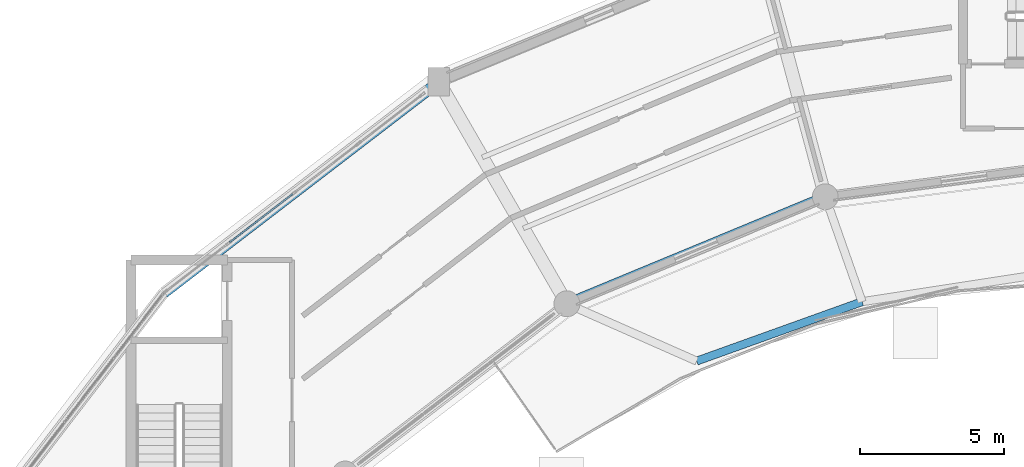
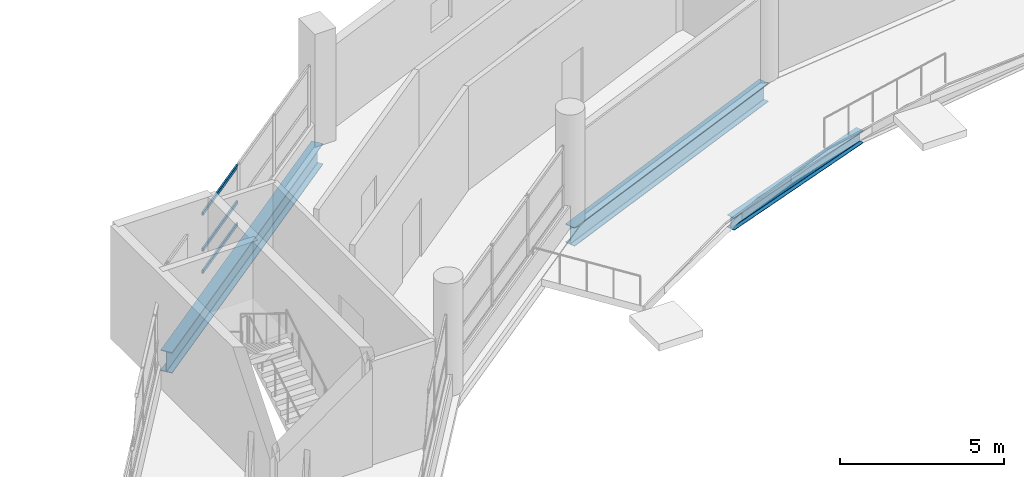
# One storey, part 55 of 128: 3 beams, 3 members, 1 element without a shape of its own.
"""IFC4 building model written with IfcOpenShell, lengths in metres."""

import ifcopenshell
import ifcopenshell.guid

model = None  # the IFC model being written
_history = None  # IfcOwnerHistory: only IFC2X3 demands one
_inside = {}  # id of a spatial element -> (the spatial element, [elements in it])
_under = {}  # id of a project, library or spatial element -> (it, [spatial elements below it])
_declared = {}  # id of a project -> (the project, [libraries it declares])
_typed = {}  # id of a type object -> (the type object, [elements of that type])
_made_of = {}  # id of a material, layer set ... -> (it, [elements and type objects made of it])


def new_model(schema):
    """Start an empty IFC model of exactly this schema.

    Asked for "IFC4X3", IfcOpenShell would pick the latest addendum, in which some entities
    have other attributes; the version numbers below select the first issue.
    IFC2X3 requires an IfcOwnerHistory on every rooted entity: one is made here for all.
    """
    global model, _history
    if schema == "IFC4X3":
        model = ifcopenshell.file(schema_version=(4, 3, 0, 0))
    else:
        model = ifcopenshell.file(schema=schema)
    _inside.clear()
    _under.clear()
    _declared.clear()
    _typed.clear()
    _made_of.clear()
    _history = None
    if model.schema == "IFC2X3":
        org = make("IfcOrganization", Name="unknown")
        user = make(
            "IfcPersonAndOrganization",
            ThePerson=make("IfcPerson", FamilyName="unknown"),
            TheOrganization=org,
        )
        app = make(
            "IfcApplication",
            ApplicationDeveloper=org,
            Version="unknown",
            ApplicationFullName="unknown",
            ApplicationIdentifier="unknown",
        )
        _history = make(
            "IfcOwnerHistory",
            OwningUser=user,
            OwningApplication=app,
            ChangeAction="ADDED",
            CreationDate=0,
        )
    return model


def make(cls, **values):
    """One entity of the class cls with the attributes given. An attribute that is None is left unset."""
    return model.create_entity(
        cls, **{name: value for name, value in values.items() if value is not None}
    )


def rooted(cls, **values):
    """An entity with a GlobalId (a new one), such as an element, a storey or a relation."""
    return make(cls, GlobalId=ifcopenshell.guid.new(), OwnerHistory=_history, **values)


def si_unit(unit_type, name, prefix=None):
    """IfcSIUnit, for example si_unit("LENGTHUNIT", "METRE", prefix="MILLI")."""
    return make("IfcSIUnit", UnitType=unit_type, Prefix=prefix, Name=name)


def assignment(units):
    """IfcUnitAssignment: the units of a project."""
    return None if units is None else make("IfcUnitAssignment", Units=units)


def point(xyz):
    """IfcCartesianPoint."""
    return None if xyz is None else make("IfcCartesianPoint", Coordinates=xyz)


def direction(xyz):
    """IfcDirection."""
    return None if xyz is None else make("IfcDirection", DirectionRatios=xyz)


def frame(location, z_axis=None, x_axis=None):
    """IfcAxis2Placement3D, a coordinate frame: its origin and axes. An axis left out is left unset."""
    return make(
        "IfcAxis2Placement3D",
        Location=point(location),
        Axis=direction(z_axis),
        RefDirection=direction(x_axis),
    )


def frame_2d(location, x_axis=None):
    """IfcAxis2Placement2D, a coordinate frame in the plane: its origin and x axis."""
    return make(
        "IfcAxis2Placement2D", Location=point(location), RefDirection=direction(x_axis)
    )


def origin():
    """The frame at (0, 0, 0) with its axes left unset."""
    return frame((0.0, 0.0, 0.0))


def origin_2d():
    """The frame at (0, 0) in the plane with its x axis left unset."""
    return frame_2d((0.0, 0.0))


def place(relative_to, where):
    """IfcLocalPlacement: puts the frame where relative to a parent placement (None: the world)."""
    return make(
        "IfcLocalPlacement", PlacementRelTo=relative_to, RelativePlacement=where
    )


def context(
    kind, dimensions, precision=None, world=None, true_north=None, identifier=None
):
    """IfcGeometricRepresentationContext, for example the 3D "Model" context."""
    return make(
        "IfcGeometricRepresentationContext",
        ContextIdentifier=identifier,
        ContextType=kind,
        CoordinateSpaceDimension=dimensions,
        Precision=precision,
        WorldCoordinateSystem=world,
        TrueNorth=true_north,
    )


def subcontext(parent, identifier, kind, view, scale=None):
    """IfcGeometricRepresentationSubContext, for example "Body" below "Model"."""
    return make(
        "IfcGeometricRepresentationSubContext",
        ContextIdentifier=identifier,
        ContextType=kind,
        ParentContext=parent,
        TargetScale=scale,
        TargetView=view,
    )


def project(units=None, contexts=None):
    """IfcProject with its units and contexts."""
    return rooted(
        "IfcProject",
        Name="project",
        RepresentationContexts=contexts,
        UnitsInContext=assignment(units),
    )


def spatial(cls, under=None, at=None, **own):
    """A site, building, storey or space (cls), placed at a placement, below another one or the project."""
    s = rooted(cls, ObjectPlacement=at, **own)
    if under is not None:
        _under.setdefault(under.id(), (under, []))[1].append(s)
    return s


def profile(cls, at=None, kind="AREA", **sizes):
    """A parametric profile (cls). Its sizes go by their IFC names, for example OverallWidth=200.0."""
    return make(cls, ProfileType=kind, Position=at, **sizes)


def hollow_rectangle(**sizes):
    """IfcRectangleHollowProfileDef."""
    return profile("IfcRectangleHollowProfileDef", **sizes)


def i_section(**sizes):
    """IfcIShapeProfileDef."""
    return profile("IfcIShapeProfileDef", **sizes)


def extrude(swept, where, along, depth):
    """IfcExtrudedAreaSolid: the profile swept, set in the frame where, extruded along a direction by depth."""
    return make(
        "IfcExtrudedAreaSolid",
        SweptArea=swept,
        Position=where,
        ExtrudedDirection=direction(along),
        Depth=depth,
    )


def shape(context_of_items, identifier, shape_type, items):
    """IfcShapeRepresentation: the items that make up one representation, for example the "Body"."""
    return make(
        "IfcShapeRepresentation",
        ContextOfItems=context_of_items,
        RepresentationIdentifier=identifier,
        RepresentationType=shape_type,
        Items=items,
    )


def material(Name=None, Category=None):
    """IfcMaterial."""
    return make("IfcMaterial", Name=Name, Category=Category)


def layer(
    of_material, thickness, ventilated=None, Name=None, Category=None, Priority=None
):
    """IfcMaterialLayer: one layer of a wall or slab, of a material (None: an air gap)."""
    return make(
        "IfcMaterialLayer",
        Material=of_material,
        LayerThickness=thickness,
        IsVentilated=ventilated,
        Name=Name,
        Category=Category,
        Priority=Priority,
    )


def layer_set(layers, Name=None):
    """IfcMaterialLayerSet."""
    return make("IfcMaterialLayerSet", MaterialLayers=layers, LayerSetName=Name)


def material_profile(
    of_material, cross_section, Name=None, Category=None, Priority=None
):
    """IfcMaterialProfile: a cross section and its material."""
    return make(
        "IfcMaterialProfile",
        Name=Name,
        Material=of_material,
        Profile=cross_section,
        Priority=Priority,
        Category=Category,
    )


def profile_set(profiles, Name=None, composite=None):
    """IfcMaterialProfileSet."""
    return make(
        "IfcMaterialProfileSet",
        Name=Name,
        MaterialProfiles=profiles,
        CompositeProfile=composite,
    )


def made_of(thing, what):
    """Note that an element or type object is made of a material, layer set ...; save() writes the relation."""
    if what is not None:
        _made_of.setdefault(what.id(), (what, []))[1].append(thing)
    return thing


def type_object(cls, material=None, **own):
    """A type object (cls), such as IfcWallType, which elements share."""
    return made_of(rooted(cls, **own), material)


def element(
    cls,
    number,
    at=None,
    inside=None,
    cuts=None,
    type_object=None,
    material=None,
    context=None,
    identifier="Body",
    shape_type=None,
    held_by="IfcProductDefinitionShape",
    body=None,
    shapes=None,
    **own,
):
    """One element of the class cls, such as IfcWall. Its Tag is "e" and its number.

    at: its placement. inside: the storey or other place that contains it. cuts: it is an
    opening in that element (IfcRelVoidsElement). A single representation is given by context,
    identifier, shape_type and body (its items); several are given by shapes. held_by: the class
    of the entity that holds the representations. save() writes the other relations.
    """
    e = rooted(cls, Tag="e%d" % number, ObjectPlacement=at, **own)
    if body is not None:
        shapes = [shape(context, identifier, shape_type, body)]
    if shapes is not None:
        e.Representation = make(held_by, Representations=shapes)
    if inside is not None:
        _inside.setdefault(inside.id(), (inside, []))[1].append(e)
    if cuts is not None:
        rooted(
            "IfcRelVoidsElement", RelatingBuildingElement=cuts, RelatedOpeningElement=e
        )
    if type_object is not None:
        _typed.setdefault(type_object.id(), (type_object, []))[1].append(e)
    return made_of(e, material)


def aggregate(whole, parts):
    """IfcRelAggregates: a whole, such as a stair, and the parts it consists of."""
    return rooted("IfcRelAggregates", RelatingObject=whole, RelatedObjects=parts)


def save(model, path):
    """Write the relations noted so far, then the file.

    IfcRelAggregates (storeys below a building ...), IfcRelContainedInSpatialStructure (elements
    in a storey), IfcRelDefinesByType, IfcRelAssociatesMaterial and IfcRelDeclares: one each for
    every whole, place, type object, material and project.
    """
    for whole, parts in _under.values():
        aggregate(whole, parts)
    for where, things in _inside.values():
        rooted(
            "IfcRelContainedInSpatialStructure",
            RelatedElements=things,
            RelatingStructure=where,
        )
    for kind, things in _typed.values():
        rooted("IfcRelDefinesByType", RelatedObjects=things, RelatingType=kind)
    for what, things in _made_of.values():
        rooted("IfcRelAssociatesMaterial", RelatedObjects=things, RelatingMaterial=what)
    for by, libraries in _declared.values():
        rooted("IfcRelDeclares", RelatingContext=by, RelatedDefinitions=libraries)
    model.write(path)


model = new_model("IFC4")

# Units and contexts
model_context = context("Model", 3, precision=1e-05, world=origin(), true_north=direction((0.0, 1.0)))
body_context = subcontext(model_context, "Body", "Model", "MODEL_VIEW")
ifc_project = project(units=[si_unit("LENGTHUNIT", "METRE"), si_unit("AREAUNIT", "SQUARE_METRE"), si_unit("VOLUMEUNIT", "CUBIC_METRE"), si_unit("PLANEANGLEUNIT", "RADIAN"), si_unit("MASSUNIT", "GRAM", prefix="KILO")], contexts=[model_context])

# Site, building, storey
site_placement = place(None, origin())
site = spatial("IfcSite", under=ifc_project, at=site_placement, CompositionType="ELEMENT")
building_placement = place(site_placement, origin())
building = spatial("IfcBuilding", under=site, at=building_placement, Name="Vespera Passage Community Centre", CompositionType="ELEMENT")
storey_placement = place(building_placement, frame((0.0, 0.0, 4.5)))
storey = spatial("IfcBuildingStorey", under=building, at=storey_placement, Name="L01", CompositionType="ELEMENT", Elevation=4.5)

# Beams
ifc_material_1 = material(Name="Steel ASTM A992 Grade 50", Category="steel")
ifc_material_profile_1 = material_profile(ifc_material_1, i_section(OverallWidth=0.280517578125, OverallDepth=0.46240234375, WebThickness=0.0107421875, FlangeThickness=0.017333984375, FilletRadius=0.01025390625, at=origin_2d()), Name="W18X76")
ifc_profile_set_1 = profile_set([ifc_material_profile_1], Name="Steel ASTM A992 Grade 50")
beam_type_1 = type_object("IfcBeamType", Name="BM-RB-W18X76E", PredefinedType="SPANDREL", material=ifc_profile_set_1)
beam_1_placement = place(storey_placement, frame((69.64990234375, 97.78759765625, -0.4912109375), z_axis=(-0.941181296993, -0.337902006788, 0.0), x_axis=(0.337902006788, -0.941181296993, 0.0)))
element("IfcBeam", 1, at=beam_1_placement, inside=storey, type_object=beam_type_1, Name="Courtyard Terrace Edge Beam 2", PredefinedType="SPANDREL", context=body_context, shape_type="SweptSolid", body=[
    extrude(i_section(OverallWidth=0.280517578125, OverallDepth=0.46240234375, WebThickness=0.0107421875, FlangeThickness=0.017333984375, FilletRadius=0.01025390625, at=origin_2d()), origin(), (0.0, 0.0, 1.0), 6.10302734375),
])
ifc_material_2 = material(Name="Steel ASTM A992 Grade 50", Category="steel")
ifc_material_profile_2 = material_profile(ifc_material_2, i_section(OverallWidth=0.3544921875, OverallDepth=0.695556640625, WebThickness=0.015380859375, FlangeThickness=0.024658203125, FilletRadius=0.01513671875, at=origin_2d()), Name="W27X146")
ifc_profile_set_2 = profile_set([ifc_material_profile_2], Name="Steel ASTM A992 Grade 50")
beam_type_2 = type_object("IfcBeamType", Name="BM-SP-W27X146E", PredefinedType="SPANDREL", material=ifc_profile_set_2)
beam_2_placement = place(storey_placement, frame((68.371826171875, 101.432373046875, -0.587890625), z_axis=(-0.923878947685, -0.382684844258, 0.0), x_axis=(0.382684844258, -0.923878947685, 0.0)))
element("IfcBeam", 2, at=beam_2_placement, inside=storey, type_object=beam_type_2, Name="V4 L01 Inner Spandrel 7", PredefinedType="SPANDREL", context=body_context, shape_type="SweptSolid", body=[
    extrude(i_section(OverallWidth=0.3544921875, OverallDepth=0.695556640625, WebThickness=0.015380859375, FlangeThickness=0.024658203125, FilletRadius=0.01513671875, at=origin_2d()), origin(), (0.0, 0.0, 1.0), 9.711181640625),
])
ifc_material_3 = material(Name="Steel ASTM A992 Grade 50", Category="steel")
ifc_material_profile_3 = material_profile(ifc_material_3, i_section(OverallWidth=0.382080078125, OverallDepth=0.779296875, WebThickness=0.01806640625, FlangeThickness=0.030029296875, FilletRadius=0.0166015625, at=origin_2d()), Name="W30X191")
ifc_profile_set_3 = profile_set([ifc_material_profile_3], Name="Steel ASTM A992 Grade 50")
beam_type_3 = type_object("IfcBeamType", Name="BM-SP-W30X191E", PredefinedType="SPANDREL", material=ifc_profile_set_3)
beam_3_placement = place(storey_placement, frame((54.949951171875, 105.423828125, -0.629638671875), z_axis=(-0.793351934501, -0.608763261066, 0.0), x_axis=(0.608763261066, -0.793351934501, 0.0)))
element("IfcBeam", 3, at=beam_3_placement, inside=storey, type_object=beam_type_3, Name="V4 L01 Outer Spandrel 8", PredefinedType="SPANDREL", context=body_context, shape_type="SweptSolid", body=[
    extrude(i_section(OverallWidth=0.382080078125, OverallDepth=0.779296875, WebThickness=0.01806640625, FlangeThickness=0.030029296875, FilletRadius=0.0166015625, at=origin_2d()), origin(), (0.0, 0.0, 1.0), 12.034423828125),
])

# Curtain wall, members
ifc_material_4 = material(Name="Anodized aluminium 6063-T6", Category="aluminium")
ifc_layer = layer(ifc_material_4, 0.159912109375)
ifc_layer_set = layer_set([ifc_layer], Name="Anodized aluminium 6063-T6")
curtain_wall_type = type_object("IfcCurtainWallType", Name="CW-16E", PredefinedType="NOTDEFINED", material=ifc_layer_set)
curtain_wall_placement = place(storey_placement, origin())
curtain_wall = element("IfcCurtainWall", 4, at=curtain_wall_placement, inside=storey, type_object=curtain_wall_type, Name="V4 L01 Outer Ribbon Curtain Wall 8", PredefinedType="NOTDEFINED")
ifc_material_5 = material(Name="Anodized aluminium 6063-T6", Category="aluminium")
ifc_material_profile_4 = material_profile(ifc_material_5, hollow_rectangle(XDim=0.06005859375, YDim=0.1201171875, WallThickness=0.00390625, InnerFilletRadius=0.001953125, OuterFilletRadius=0.00390625, at=origin_2d()), Name="ALU120X60X4")
ifc_profile_set_4 = profile_set([ifc_material_profile_4], Name="Anodized aluminium 6063-T6")
member_type = type_object("IfcMemberType", Name="MB-CWT-120E", PredefinedType="USERDEFINED", material=ifc_profile_set_4)
member_1_placement = place(storey_placement, frame((47.6826171875, 99.847412109375, 0.85009765625), z_axis=(0.793353015375, 0.608761852448, 0.0), x_axis=(-0.608761852448, 0.793353015375, 0.0)))
member_1 = element("IfcMember", 5, at=member_1_placement, type_object=member_type, Name="CW-16E transom 2.1", ObjectType="TRANSOM", PredefinedType="USERDEFINED", context=body_context, shape_type="SweptSolid", body=[
    extrude(hollow_rectangle(XDim=0.06005859375, YDim=0.1201171875, WallThickness=0.00390625, InnerFilletRadius=0.001953125, OuterFilletRadius=0.00390625, at=origin_2d()), origin(), (0.0, 0.0, 1.0), 2.761474609375),
])
member_2_placement = place(storey_placement, frame((47.6826171875, 99.847412109375, 1.669921875), z_axis=(0.793353015375, 0.608761852448, 0.0), x_axis=(-0.608761852448, 0.793353015375, 0.0)))
member_2 = element("IfcMember", 6, at=member_2_placement, type_object=member_type, Name="CW-16E transom 2.2", ObjectType="TRANSOM", PredefinedType="USERDEFINED", context=body_context, shape_type="SweptSolid", body=[
    extrude(hollow_rectangle(XDim=0.06005859375, YDim=0.1201171875, WallThickness=0.00390625, InnerFilletRadius=0.001953125, OuterFilletRadius=0.00390625, at=origin_2d()), origin(), (0.0, 0.0, 1.0), 2.761474609375),
])
member_3_placement = place(storey_placement, frame((47.6826171875, 99.847412109375, 3.015625), z_axis=(0.793353015375, 0.608761852448, 0.0), x_axis=(-0.608761852448, 0.793353015375, 0.0)))
member_3 = element("IfcMember", 7, at=member_3_placement, type_object=member_type, Name="CW-16E transom 2.3", ObjectType="TRANSOM", PredefinedType="USERDEFINED", context=body_context, shape_type="SweptSolid", body=[
    extrude(hollow_rectangle(XDim=0.06005859375, YDim=0.1201171875, WallThickness=0.00390625, InnerFilletRadius=0.001953125, OuterFilletRadius=0.00390625, at=origin_2d()), origin(), (0.0, 0.0, 1.0), 2.761474609375),
])
aggregate(curtain_wall, [member_1, member_2, member_3])

save(model, "model.ifc")
